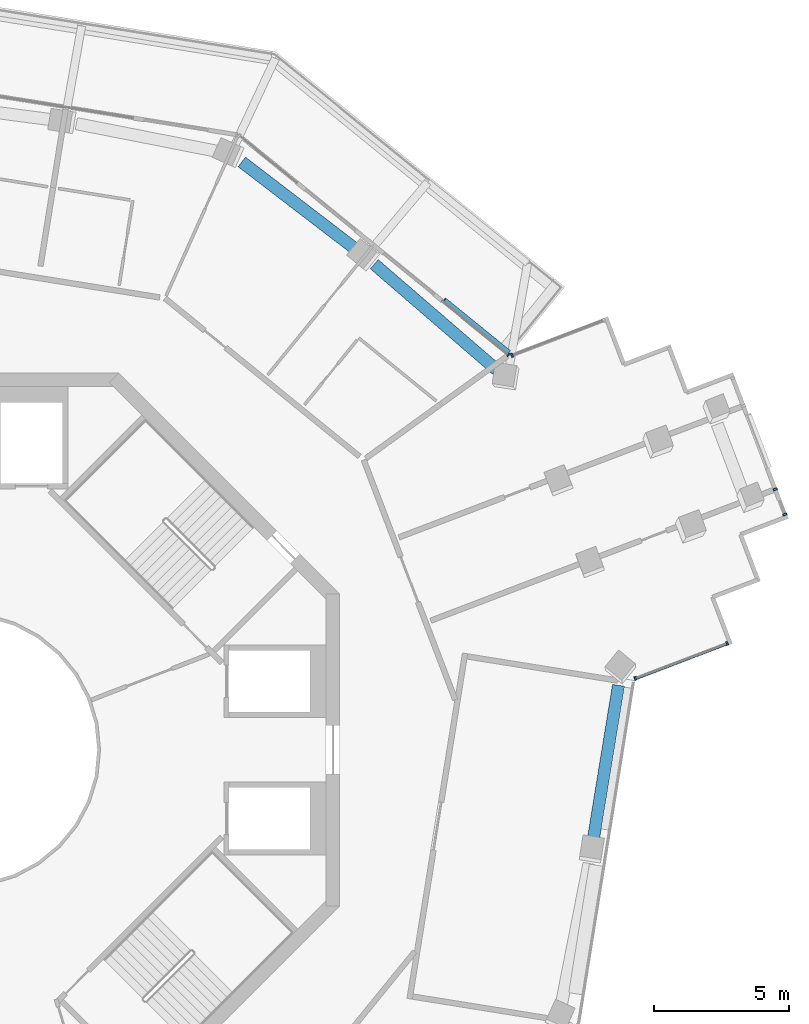
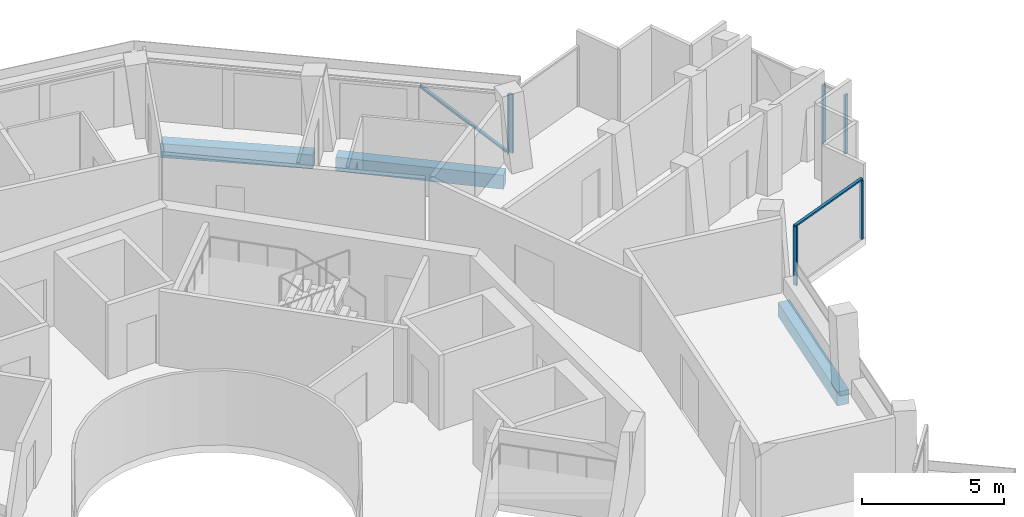
# One storey, part 8 of 23: 8 members, 3 beams, 4 elements without a shape of their own.
"""IFC4 building model written with IfcOpenShell, lengths in metres."""

from ifc_helpers import new_model, si_unit, direction, frame, origin, origin_2d, place, context, subcontext, project, spatial, rectangle, extrude, material, layer, layer_set, material_profile, profile_set, type_object, element, aggregate, save


model = new_model("IFC4")

# Units and contexts
model_context = context("Model", 3, precision=1e-05, world=origin(), true_north=direction((0.0, 1.0)))
body_context = subcontext(model_context, "Body", "Model", "MODEL_VIEW")
ifc_project = project(units=[si_unit("LENGTHUNIT", "METRE"), si_unit("AREAUNIT", "SQUARE_METRE"), si_unit("VOLUMEUNIT", "CUBIC_METRE"), si_unit("PLANEANGLEUNIT", "RADIAN"), si_unit("MASSUNIT", "GRAM", prefix="KILO")], contexts=[model_context])

# Site, building, storey
site_placement = place(None, origin())
site = spatial("IfcSite", under=ifc_project, at=site_placement, CompositionType="ELEMENT")
building_placement = place(site_placement, origin())
building = spatial("IfcBuilding", under=site, at=building_placement, Name="Verdalira Terraces Hotel", CompositionType="ELEMENT")
storey_placement = place(building_placement, frame((0.0, 0.0, 241.0)))
storey = spatial("IfcBuildingStorey", under=building, at=storey_placement, Name="L59", CompositionType="ELEMENT", Elevation=241.0)

# Curtain wall, member
ifc_material_1 = material(Name="Clear glass", Category="glass")
ifc_layer_1 = layer(ifc_material_1, 0.14990234375)
ifc_layer_set_1 = layer_set([ifc_layer_1], Name="CW1 curtain wall")
curtain_wall_type_1 = type_object("IfcCurtainWallType", Name="CW1 curtain wall", PredefinedType="NOTDEFINED", material=ifc_layer_set_1)
curtain_wall_1_placement = place(storey_placement, origin())
curtain_wall_1 = element("IfcCurtainWall", 1, at=curtain_wall_1_placement, inside=storey, type_object=curtain_wall_type_1, Name="CW1 curtain wall L59 edge 39", PredefinedType="NOTDEFINED")
ifc_material_2 = material(Name="Terracotta frame", Category="masonry")
ifc_material_profile_1 = material_profile(ifc_material_2, rectangle(XDim=0.060059, YDim=0.149902, at=origin_2d()), Name="MU 60x150")
ifc_profile_set_1 = profile_set([ifc_material_profile_1], Name="Terracotta frame")
member_type_1 = type_object("IfcMemberType", Name="CW1 mullion 60x150", PredefinedType="MULLION", material=ifc_profile_set_1)
member_1_placement = place(storey_placement, frame((20.278076, 14.679932, 0.0), z_axis=(0.0, 0.0, 1.0), x_axis=(-0.775826212, 0.63094666, 0.0)))
member_1 = element("IfcMember", 2, at=member_1_placement, type_object=member_type_1, Name="CW1 mullion", PredefinedType="MULLION", context=body_context, shape_type="SweptSolid", body=[
    extrude(rectangle(XDim=0.060059, YDim=0.149902, at=origin_2d()), origin(), (0.0, 0.0, 1.0), 2.524902),
])

# Curtain wall, members
ifc_material_3 = material(Name="Clear glass", Category="glass")
ifc_layer_2 = layer(ifc_material_3, 0.14990234375)
ifc_layer_set_2 = layer_set([ifc_layer_2], Name="CW2 curtain wall")
curtain_wall_type_2 = type_object("IfcCurtainWallType", Name="CW2 curtain wall", PredefinedType="NOTDEFINED", material=ifc_layer_set_2)
curtain_wall_2_placement = place(storey_placement, origin())
curtain_wall_2 = element("IfcCurtainWall", 3, at=curtain_wall_2_placement, inside=storey, type_object=curtain_wall_type_2, Name="CW2 curtain wall L59 edge 28", PredefinedType="NOTDEFINED")
ifc_material_4 = material(Name="Terracotta frame", Category="masonry")
ifc_material_profile_2 = material_profile(ifc_material_4, rectangle(XDim=0.070068, YDim=0.149902, at=origin_2d()), Name="MU 70x150")
ifc_profile_set_2 = profile_set([ifc_material_profile_2], Name="Terracotta frame")
member_type_2 = type_object("IfcMemberType", Name="CW2 mullion 70x150", PredefinedType="MULLION", material=ifc_profile_set_2)
member_2_placement = place(storey_placement, frame((24.987793, 2.655273, 0.0), z_axis=(0.0, 0.0, 1.0), x_axis=(0.934328942, 0.356411879, 0.0)))
member_2 = element("IfcMember", 4, at=member_2_placement, type_object=member_type_2, Name="CW2 mullion", PredefinedType="MULLION", context=body_context, shape_type="SweptSolid", body=[
    extrude(rectangle(XDim=0.070068, YDim=0.149902, at=origin_2d()), origin(), (0.0, 0.0, 1.0), 2.524902),
])
member_3_placement = place(storey_placement, frame((28.400635, 3.957275, 0.0), z_axis=(0.0, 0.0, 1.0), x_axis=(0.934328942, 0.356411879, 0.0)))
member_3 = element("IfcMember", 5, at=member_3_placement, type_object=member_type_2, Name="CW2 mullion", PredefinedType="MULLION", context=body_context, shape_type="SweptSolid", body=[
    extrude(rectangle(XDim=0.070068, YDim=0.149902, at=origin_2d()), origin(), (0.0, 0.0, 1.0), 2.524902),
])

# Curtain wall, member
curtain_wall_3_placement = place(storey_placement, origin())
curtain_wall_3 = element("IfcCurtainWall", 6, at=curtain_wall_3_placement, inside=storey, type_object=curtain_wall_type_2, Name="CW2 curtain wall L59 edge 38", PredefinedType="NOTDEFINED")
member_4_placement = place(storey_placement, frame((20.407959, 14.661377, 0.0), z_axis=(0.0, 0.0, 1.0), x_axis=(-0.934328942, -0.356411879, 0.0)))
member_4 = element("IfcMember", 7, at=member_4_placement, type_object=member_type_2, Name="CW2 mullion", PredefinedType="MULLION", context=body_context, shape_type="SweptSolid", body=[
    extrude(rectangle(XDim=0.070068, YDim=0.149902, at=origin_2d()), origin(), (0.0, 0.0, 1.0), 2.524902),
])
aggregate(curtain_wall_3, [member_4])

# Member
ifc_material_5 = material(Name="Terracotta frame", Category="masonry")
ifc_material_profile_3 = material_profile(ifc_material_5, rectangle(XDim=0.11499, YDim=0.064941, at=origin_2d()), Name="TR 65x115")
ifc_profile_set_3 = profile_set([ifc_material_profile_3], Name="Terracotta frame")
member_type_3 = type_object("IfcMemberType", Name="CW2 transom 65x115", PredefinedType="USERDEFINED", material=ifc_profile_set_3)
member_5_placement = place(storey_placement, frame((24.955322, 2.642822, 2.557617), z_axis=(0.934314118, 0.356450739, 0.0), x_axis=(-0.356450739, 0.934314118, 0.0)))
member_5 = element("IfcMember", 8, at=member_5_placement, type_object=member_type_3, Name="CW2 transom", ObjectType="TRANSOM", PredefinedType="USERDEFINED", context=body_context, shape_type="SweptSolid", body=[
    extrude(rectangle(XDim=0.11499, YDim=0.064941, at=origin_2d()), origin(), (0.0, 0.0, 1.0), 3.722656),
])

aggregate(curtain_wall_2, [member_2, member_3, member_5])

# Curtain wall, members
ifc_material_6 = material(Name="Clear glass", Category="glass")
ifc_layer_3 = layer(ifc_material_6, 0.14990234375)
ifc_layer_set_3 = layer_set([ifc_layer_3], Name="CW3 curtain wall")
curtain_wall_type_3 = type_object("IfcCurtainWallType", Name="CW3 curtain wall", PredefinedType="NOTDEFINED", material=ifc_layer_set_3)
curtain_wall_4_placement = place(storey_placement, origin())
curtain_wall_4 = element("IfcCurtainWall", 9, at=curtain_wall_4_placement, inside=storey, type_object=curtain_wall_type_3, Name="CW3 curtain wall L59 edge 33", PredefinedType="NOTDEFINED")
ifc_material_7 = material(Name="Terracotta frame", Category="masonry")
ifc_material_profile_4 = material_profile(ifc_material_7, rectangle(XDim=0.080078, YDim=0.149902, at=origin_2d()), Name="MU 80x150")
ifc_profile_set_4 = profile_set([ifc_material_profile_4], Name="Terracotta frame")
member_type_4 = type_object("IfcMemberType", Name="CW3 mullion 80x150", PredefinedType="MULLION", material=ifc_profile_set_4)
member_6_placement = place(storey_placement, frame((30.542725, 8.750488, 0.0), z_axis=(0.0, 0.0, 1.0), x_axis=(-0.356411879, 0.934328942, 0.0)))
member_6 = element("IfcMember", 10, at=member_6_placement, type_object=member_type_4, Name="CW3 mullion", PredefinedType="MULLION", context=body_context, shape_type="SweptSolid", body=[
    extrude(rectangle(XDim=0.080078, YDim=0.149902, at=origin_2d()), origin(), (0.0, 0.0, 1.0), 2.524902),
])
member_7_placement = place(storey_placement, frame((30.1875, 9.682129, 0.0), z_axis=(0.0, 0.0, 1.0), x_axis=(-0.356411879, 0.934328942, 0.0)))
member_7 = element("IfcMember", 11, at=member_7_placement, type_object=member_type_4, Name="CW3 mullion", PredefinedType="MULLION", context=body_context, shape_type="SweptSolid", body=[
    extrude(rectangle(XDim=0.080078, YDim=0.149902, at=origin_2d()), origin(), (0.0, 0.0, 1.0), 2.524902),
])
aggregate(curtain_wall_4, [member_6, member_7])

# Member
ifc_material_8 = material(Name="Terracotta frame", Category="masonry")
ifc_material_profile_5 = material_profile(ifc_material_8, rectangle(XDim=0.149902, YDim=0.060059, at=origin_2d()), Name="GB 60x150")
ifc_profile_set_5 = profile_set([ifc_material_profile_5], Name="Terracotta frame")
member_type_5 = type_object("IfcMemberType", Name="Diagonal glazing bar 60x150", PredefinedType="USERDEFINED", material=ifc_profile_set_5)
member_8_placement = place(storey_placement, frame((20.287109, 14.787109, 0.024658), z_axis=(-0.604595566, 0.491697355, 0.626656136), x_axis=(-0.630950785, -0.775822858, 0.0)))
member_8 = element("IfcMember", 12, at=member_8_placement, type_object=member_type_5, Name="Diagonal glazing bar", ObjectType="GLAZING BAR", PredefinedType="USERDEFINED", context=body_context, shape_type="SweptSolid", body=[
    extrude(rectangle(XDim=0.149902, YDim=0.060059, at=origin_2d()), origin(), (0.0, 0.0, 1.0), 3.950928),
])

aggregate(curtain_wall_1, [member_1, member_8])

# Beams
ifc_material_9 = material(Name="Concrete C40", Category="concrete")
ifc_material_profile_6 = material_profile(ifc_material_9, rectangle(XDim=0.449951, YDim=0.600098, at=origin_2d()), Name="RC 450X600")
ifc_profile_set_6 = profile_set([ifc_material_profile_6], Name="Concrete C40")
beam_type = type_object("IfcBeamType", Name="Spandrel beam RC 450X600 C40", PredefinedType="SPANDREL", material=ifc_profile_set_6)
beam_1_placement = place(storey_placement, frame((23.413086, -3.417725, -0.610107), z_axis=(0.161388049, 0.986891026, 0.0), x_axis=(-0.986891026, 0.161388049, 0.0)))
element("IfcBeam", 13, at=beam_1_placement, inside=storey, type_object=beam_type, Name="Spandrel beam B16", PredefinedType="SPANDREL", context=body_context, shape_type="SweptSolid", body=[
    extrude(rectangle(XDim=0.449951, YDim=0.600098, at=origin_2d()), origin(), (0.0, 0.0, 1.0), 5.89209),
])
beam_2_placement = place(storey_placement, frame((19.830566, 14.128418, -0.610107), z_axis=(-0.757328765, 0.653033798, 0.0), x_axis=(-0.653033798, -0.757328765, 0.0)))
element("IfcBeam", 14, at=beam_2_placement, inside=storey, type_object=beam_type, Name="Spandrel beam B18", PredefinedType="SPANDREL", context=body_context, shape_type="SweptSolid", body=[
    extrude(rectangle(XDim=0.449951, YDim=0.600098, at=origin_2d()), origin(), (0.0, 0.0, 1.0), 5.999756),
])
beam_3_placement = place(storey_placement, frame((14.648682, 18.564941, -0.610107), z_axis=(-0.793716346, 0.608288059, 0.0), x_axis=(-0.608288059, -0.793716346, 0.0)))
element("IfcBeam", 15, at=beam_3_placement, inside=storey, type_object=beam_type, Name="Spandrel beam B19", PredefinedType="SPANDREL", context=body_context, shape_type="SweptSolid", body=[
    extrude(rectangle(XDim=0.449951, YDim=0.600098, at=origin_2d()), origin(), (0.0, 0.0, 1.0), 5.394287),
])

save(model, "model.ifc")
